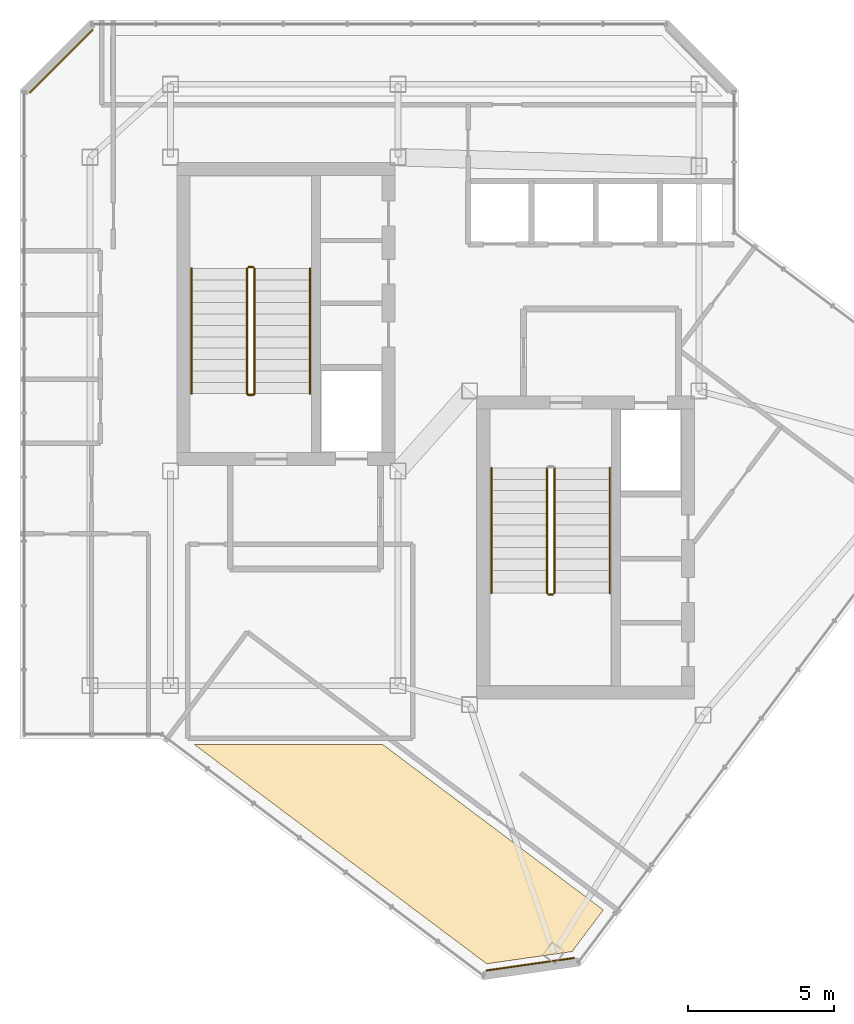
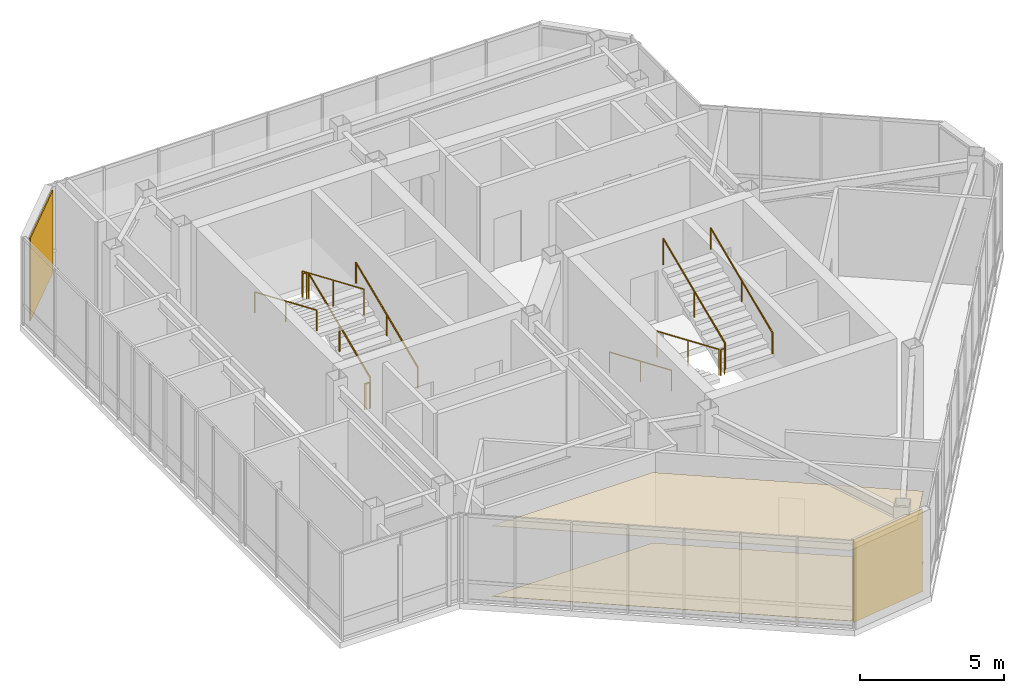
# One storey, part 23 of 24: 12 railings, 4 coverings.
"""IFC4 building model written with IfcOpenShell, lengths in metres."""

from ifc_helpers import new_model, si_unit, direction, frame, origin, origin_2d, place, context, subcontext, project, spatial, polyline, rectangle, circle, outline, extrude, material, layer, layer_set, type_object, element, save


model = new_model("IFC4")

# Units and contexts
model_context = context("Model", 3, precision=1e-05, world=origin(), true_north=direction((0.0, 1.0)))
body_context = subcontext(model_context, "Body", "Model", "MODEL_VIEW")
ifc_project = project(units=[si_unit("LENGTHUNIT", "METRE"), si_unit("AREAUNIT", "SQUARE_METRE"), si_unit("VOLUMEUNIT", "CUBIC_METRE"), si_unit("PLANEANGLEUNIT", "RADIAN"), si_unit("MASSUNIT", "GRAM", prefix="KILO")], contexts=[model_context])

# Site, building, storey
site_placement = place(None, origin())
site = spatial("IfcSite", under=ifc_project, at=site_placement, CompositionType="ELEMENT")
building_placement = place(site_placement, origin())
building = spatial("IfcBuilding", under=site, at=building_placement, Name="Hatsunagi Terrace Concourse", CompositionType="ELEMENT")
storey_placement = place(building_placement, frame((0.0, 0.0, 285.949951171875)))
storey = spatial("IfcBuildingStorey", under=building, at=storey_placement, Name="L75", CompositionType="ELEMENT", Elevation=285.949951171875)

# Coverings
ifc_material_1 = material(Name="Acoustic mineral board", Category="gypsum")
ifc_layer_1 = layer(ifc_material_1, 0.02001953125)
ifc_layer_set_1 = layer_set([ifc_layer_1], Name="AcousticMineralCeiling_20")
covering_type_1 = type_object("IfcCoveringType", Name="AcousticMineralCeiling_20", PredefinedType="CEILING", material=ifc_layer_set_1)
covering_1_placement = place(storey_placement, frame((0.0, 0.0, 2.97998046875)))
element("IfcCovering", 1, at=covering_1_placement, inside=storey, type_object=covering_type_1, Name="Suspended Ceiling L75-1", PredefinedType="CEILING", context=body_context, shape_type="SweptSolid", body=[
    extrude(outline(polyline([(26.361083984375, 23.19189453125), (36.382080078125, 15.676025390625), (39.30810546875, 16.093994140625), (40.3759765625, 17.51806640625), (32.81103515625, 23.19189453125), (26.361083984375, 23.19189453125)])), origin(), (0.0, 0.0, 1.0), 0.02001953125),
])
ifc_material_2 = material(Name="Hardwood timber", Category="wood")
ifc_layer_2 = layer(ifc_material_2, 0.014892578125)
ifc_layer_set_2 = layer_set([ifc_layer_2], Name="HardwoodTimberFlooring_15")
covering_type_2 = type_object("IfcCoveringType", Name="HardwoodTimberFlooring_15", PredefinedType="FLOORING", material=ifc_layer_set_2)
covering_2_placement = place(storey_placement, origin())
element("IfcCovering", 2, at=covering_2_placement, inside=storey, type_object=covering_type_2, Name="Finished Flooring L75-1", PredefinedType="FLOORING", context=body_context, shape_type="SweptSolid", body=[
    extrude(outline(polyline([(26.361083984375, 23.19189453125), (36.382080078125, 15.676025390625), (39.30810546875, 16.093994140625), (40.3759765625, 17.51806640625), (32.81103515625, 23.19189453125), (26.361083984375, 23.19189453125)])), origin(), (0.0, 0.0, 1.0), 0.01513671875),
])

# Railings
ifc_material_3 = material(Name="Stainless steel", Category="steel")
ifc_layer_3 = layer(ifc_material_3, 0.044921875)
ifc_layer_set_3 = layer_set([ifc_layer_3], Name="StairPitchHandrail_Tower2000")
railing_type_1 = type_object("IfcRailingType", Name="StairPitchHandrail_Tower2000", PredefinedType="HANDRAIL", material=ifc_layer_set_3)
railing_1_placement = place(storey_placement, frame((30.330078125, 35.199951171875, 0.166748046875)))
element("IfcRailing", 3, at=railing_1_placement, inside=storey, type_object=railing_type_1, Name="L75 ST-A stair handrail 1", PredefinedType="HANDRAIL", context=body_context, shape_type="SweptSolid", body=[
    extrude(circle(Radius=0.02392578125, at=origin_2d()), frame((0.0, 0.0, 0.8759765625), z_axis=(0.0, 0.919558658016, 0.39295276366), x_axis=(-1.0, 0.0, 0.0)), (0.0, 0.0, 1.0), 4.665283203125),
    extrude(circle(Radius=0.02099609375, at=origin_2d()), origin(), (0.0, 0.0, 1.0), 0.851806640625),
    extrude(circle(Radius=0.02099609375, at=origin_2d()), frame((0.0, 2.14501953125, 0.91650390625)), (0.0, 0.0, 1.0), 0.851806640625),
    extrude(circle(Radius=0.02099609375, at=origin_2d()), frame((0.0, 4.2900390625, 1.833251953125)), (0.0, 0.0, 1.0), 0.851806640625),
])
railing_2_placement = place(storey_placement, frame((26.280029296875, 39.489990234375, 2.166748046875)))
element("IfcRailing", 4, at=railing_2_placement, inside=storey, type_object=railing_type_1, Name="L75 ST-A stair handrail 2", PredefinedType="HANDRAIL", context=body_context, shape_type="SweptSolid", body=[
    extrude(circle(Radius=0.02392578125, at=origin_2d()), frame((0.0, 0.0, 0.8759765625), z_axis=(0.0, -0.919558658016, 0.39295276366), x_axis=(1.0, 0.0, 0.0)), (0.0, 0.0, 1.0), 4.665283203125),
    extrude(circle(Radius=0.02099609375, at=origin_2d()), origin(), (0.0, 0.0, 1.0), 0.851806640625),
    extrude(circle(Radius=0.02099609375, at=origin_2d()), frame((0.0, -2.14501953125, 0.91650390625)), (0.0, 0.0, 1.0), 0.851806640625),
    extrude(circle(Radius=0.02099609375, at=origin_2d()), frame((0.0, -4.2900390625, 1.833251953125)), (0.0, 0.0, 1.0), 0.851806640625),
])
railing_3_placement = place(storey_placement, frame((36.550048828125, 32.659912109375, 0.166748046875)))
element("IfcRailing", 5, at=railing_3_placement, inside=storey, type_object=railing_type_1, Name="L75 ST-B stair handrail 1", PredefinedType="HANDRAIL", context=body_context, shape_type="SweptSolid", body=[
    extrude(circle(Radius=0.02392578125, at=origin_2d()), frame((0.0, 0.0, 0.8759765625), z_axis=(0.0, -0.919550576919, 0.392971673899), x_axis=(1.0, 0.0, 0.0)), (0.0, 0.0, 1.0), 4.6650390625),
    extrude(circle(Radius=0.02099609375, at=origin_2d()), origin(), (0.0, 0.0, 1.0), 0.851806640625),
    extrude(circle(Radius=0.02099609375, at=origin_2d()), frame((0.0, -2.14501953125, 0.91650390625)), (0.0, 0.0, 1.0), 0.851806640625),
    extrude(circle(Radius=0.02099609375, at=origin_2d()), frame((0.0, -4.289794921875, 1.833251953125)), (0.0, 0.0, 1.0), 0.851806640625),
])
railing_4_placement = place(storey_placement, frame((40.60009765625, 28.3701171875, 2.166748046875)))
element("IfcRailing", 6, at=railing_4_placement, inside=storey, type_object=railing_type_1, Name="L75 ST-B stair handrail 2", PredefinedType="HANDRAIL", context=body_context, shape_type="SweptSolid", body=[
    extrude(circle(Radius=0.02392578125, at=origin_2d()), frame((0.0, 0.0, 0.8759765625), z_axis=(0.0, 0.919550576919, 0.392971673899), x_axis=(-1.0, 0.0, 0.0)), (0.0, 0.0, 1.0), 4.6650390625),
    extrude(circle(Radius=0.02099609375, at=origin_2d()), origin(), (0.0, 0.0, 1.0), 0.851806640625),
    extrude(circle(Radius=0.02099609375, at=origin_2d()), frame((0.0, 2.14501953125, 0.91650390625)), (0.0, 0.0, 1.0), 0.851806640625),
    extrude(circle(Radius=0.02099609375, at=origin_2d()), frame((0.0, 4.289794921875, 1.833251953125)), (0.0, 0.0, 1.0), 0.851806640625),
])
ifc_material_4 = material(Name="Stainless steel", Category="steel")
ifc_layer_4 = layer(ifc_material_4, 0.06005859375)
ifc_layer_set_4 = layer_set([ifc_layer_4], Name="StairWellGuard_Tower2000")
railing_type_2 = type_object("IfcRailingType", Name="StairWellGuard_Tower2000", PredefinedType="BALUSTRADE", material=ifc_layer_set_4)
railing_5_placement = place(storey_placement, frame((28.429931640625, 35.199951171875, 0.166748046875)))
element("IfcRailing", 7, at=railing_5_placement, inside=storey, type_object=railing_type_2, Name="L75 ST-A stair guard 1", PredefinedType="BALUSTRADE", context=body_context, shape_type="SweptSolid", body=[
    extrude(circle(Radius=0.02392578125, at=origin_2d()), frame((0.0, 0.0, 1.09619140625), z_axis=(0.0, 0.919558658016, 0.39295276366), x_axis=(-1.0, 0.0, 0.0)), (0.0, 0.0, 1.0), 4.665283203125),
    extrude(circle(Radius=0.02099609375, at=origin_2d()), origin(), (0.0, 0.0, 1.0), 1.072021484375),
    extrude(circle(Radius=0.02099609375, at=origin_2d()), frame((0.0, 2.14501953125, 0.91650390625)), (0.0, 0.0, 1.0), 1.072021484375),
    extrude(circle(Radius=0.02099609375, at=origin_2d()), frame((0.0, 4.2900390625, 1.833251953125)), (0.0, 0.0, 1.0), 1.072021484375),
])
railing_6_placement = place(storey_placement, frame((28.3798828125, 39.5400390625, 2.0)))
element("IfcRailing", 8, at=railing_6_placement, inside=storey, type_object=railing_type_2, Name="L75 ST-A stair guard 2", PredefinedType="BALUSTRADE", context=body_context, shape_type="SweptSolid", body=[
    extrude(circle(Radius=0.02392578125, at=origin_2d()), frame((0.0, 0.0, 1.09619140625), z_axis=(-1.0, 0.0, 0.0), x_axis=(0.0, -1.0, 0.0)), (0.0, 0.0, 1.0), 0.14990234375),
    extrude(circle(Radius=0.02099609375, at=origin_2d()), origin(), (0.0, 0.0, 1.0), 1.072021484375),
    extrude(circle(Radius=0.02099609375, at=origin_2d()), frame((-0.14990234375, 0.0, 0.0)), (0.0, 0.0, 1.0), 1.072021484375),
])
railing_7_placement = place(storey_placement, frame((28.179931640625, 39.489990234375, 2.166748046875)))
element("IfcRailing", 9, at=railing_7_placement, inside=storey, type_object=railing_type_2, Name="L75 ST-A stair guard 3", PredefinedType="BALUSTRADE", context=body_context, shape_type="SweptSolid", body=[
    extrude(circle(Radius=0.02392578125, at=origin_2d()), frame((0.0, 0.0, 1.09619140625), z_axis=(0.0, -0.919558658016, 0.39295276366), x_axis=(1.0, 0.0, 0.0)), (0.0, 0.0, 1.0), 4.665283203125),
    extrude(circle(Radius=0.02099609375, at=origin_2d()), origin(), (0.0, 0.0, 1.0), 1.072021484375),
    extrude(circle(Radius=0.02099609375, at=origin_2d()), frame((0.0, -2.14501953125, 0.91650390625)), (0.0, 0.0, 1.0), 1.072021484375),
    extrude(circle(Radius=0.02099609375, at=origin_2d()), frame((0.0, -4.2900390625, 1.833251953125)), (0.0, 0.0, 1.0), 1.072021484375),
])
railing_8_placement = place(storey_placement, frame((28.3798828125, 35.14990234375, 0.0)))
element("IfcRailing", 10, at=railing_8_placement, inside=storey, type_object=railing_type_2, Name="L75 ST-A stair guard 4", PredefinedType="BALUSTRADE", context=body_context, shape_type="SweptSolid", body=[
    extrude(circle(Radius=0.02392578125, at=origin_2d()), frame((0.0, 0.0, 1.09619140625), z_axis=(-1.0, 0.0, 0.0), x_axis=(0.0, -1.0, 0.0)), (0.0, 0.0, 1.0), 0.14990234375),
    extrude(circle(Radius=0.02099609375, at=origin_2d()), origin(), (0.0, 0.0, 1.0), 1.072021484375),
    extrude(circle(Radius=0.02099609375, at=origin_2d()), frame((-0.14990234375, 0.0, 0.0)), (0.0, 0.0, 1.0), 1.072021484375),
])
railing_9_placement = place(storey_placement, frame((38.449951171875, 32.659912109375, 0.166748046875)))
element("IfcRailing", 11, at=railing_9_placement, inside=storey, type_object=railing_type_2, Name="L75 ST-B stair guard 1", PredefinedType="BALUSTRADE", context=body_context, shape_type="SweptSolid", body=[
    extrude(circle(Radius=0.02392578125, at=origin_2d()), frame((0.0, 0.0, 1.09619140625), z_axis=(0.0, -0.919550576919, 0.392971673899), x_axis=(1.0, 0.0, 0.0)), (0.0, 0.0, 1.0), 4.6650390625),
    extrude(circle(Radius=0.02099609375, at=origin_2d()), origin(), (0.0, 0.0, 1.0), 1.072021484375),
    extrude(circle(Radius=0.02099609375, at=origin_2d()), frame((0.0, -2.14501953125, 0.91650390625)), (0.0, 0.0, 1.0), 1.072021484375),
    extrude(circle(Radius=0.02099609375, at=origin_2d()), frame((0.0, -4.289794921875, 1.833251953125)), (0.0, 0.0, 1.0), 1.072021484375),
])
railing_10_placement = place(storey_placement, frame((38.5, 28.320068359375, 2.0)))
element("IfcRailing", 12, at=railing_10_placement, inside=storey, type_object=railing_type_2, Name="L75 ST-B stair guard 2", PredefinedType="BALUSTRADE", context=body_context, shape_type="SweptSolid", body=[
    extrude(circle(Radius=0.02392578125, at=origin_2d()), frame((0.0, 0.0, 1.09619140625), z_axis=(1.0, 0.0, 0.0), x_axis=(0.0, 1.0, 0.0)), (0.0, 0.0, 1.0), 0.14990234375),
    extrude(circle(Radius=0.02099609375, at=origin_2d()), origin(), (0.0, 0.0, 1.0), 1.072021484375),
    extrude(circle(Radius=0.02099609375, at=origin_2d()), frame((0.14990234375, 0.0, 0.0)), (0.0, 0.0, 1.0), 1.072021484375),
])
railing_11_placement = place(storey_placement, frame((38.699951171875, 28.3701171875, 2.166748046875)))
element("IfcRailing", 13, at=railing_11_placement, inside=storey, type_object=railing_type_2, Name="L75 ST-B stair guard 3", PredefinedType="BALUSTRADE", context=body_context, shape_type="SweptSolid", body=[
    extrude(circle(Radius=0.02392578125, at=origin_2d()), frame((0.0, 0.0, 1.09619140625), z_axis=(0.0, 0.919550576919, 0.392971673899), x_axis=(-1.0, 0.0, 0.0)), (0.0, 0.0, 1.0), 4.6650390625),
    extrude(circle(Radius=0.02099609375, at=origin_2d()), origin(), (0.0, 0.0, 1.0), 1.072021484375),
    extrude(circle(Radius=0.02099609375, at=origin_2d()), frame((0.0, 2.14501953125, 0.91650390625)), (0.0, 0.0, 1.0), 1.072021484375),
    extrude(circle(Radius=0.02099609375, at=origin_2d()), frame((0.0, 4.289794921875, 1.833251953125)), (0.0, 0.0, 1.0), 1.072021484375),
])
ifc_material_5 = material(Name="Stainless Steel SUS316 Post-and-Rail Guard", Category="steel")
ifc_layer_5 = layer(ifc_material_5, 0.080078125)
ifc_layer_set_5 = layer_set([ifc_layer_5], Name="TerracePlantedGuardRail_1200")
railing_type_3 = type_object("IfcRailingType", Name="TerracePlantedGuardRail_1200", PredefinedType="GUARDRAIL", material=ifc_layer_set_5)
railing_12_placement = place(storey_placement, frame((28.179931640625, 35.179931640625, 0.0)))
element("IfcRailing", 14, at=railing_12_placement, inside=storey, type_object=railing_type_3, Name="Stair ST-A Well Closure Guard L75", PredefinedType="GUARDRAIL", context=body_context, shape_type="SweptSolid", body=[
    extrude(circle(Radius=0.02392578125, at=origin_2d()), frame((0.0, 0.0, 1.09619140625), z_axis=(1.0, 0.0, 0.0), x_axis=(0.0, 1.0, 0.0)), (0.0, 0.0, 1.0), 0.25),
    extrude(circle(Radius=0.02099609375, at=origin_2d()), origin(), (0.0, 0.0, 1.0), 1.072021484375),
    extrude(circle(Radius=0.02099609375, at=origin_2d()), frame((0.25, 0.0, 0.0)), (0.0, 0.0, 1.0), 1.072021484375),
])

# Coverings
ifc_material_6 = material(Name="Unglazed Warm Terracotta Rainscreen Tile", Category="masonry")
ifc_layer_6 = layer(ifc_material_6, 0.044921875)
ifc_layer_set_6 = layer_set([ifc_layer_6], Name="TerracottaRainscreenCladding_45")
covering_type_3 = type_object("IfcCoveringType", Name="TerracottaRainscreenCladding_45", PredefinedType="CLADDING", material=ifc_layer_set_6)
for number, where, z_axis, x_axis, name in (
    (15, (37.8779296875, 15.658935546875, 0.10009765625), (0.0, 0.0, 1.0), (-0.989973920543, -0.141250262458, 0.0), "Terracotta Rainscreen Cladding L75-04"),
    (16, (21.81396484375, 46.5859375, 0.10009765625), (0.0, 0.0, 1.0), (0.707106781187, 0.707106781187, 0.0), "Terracotta Rainscreen Cladding L75-08"),
):
    element("IfcCovering", number, at=place(storey_placement, frame(where, z_axis=z_axis, x_axis=x_axis)), inside=storey, type_object=covering_type_3, Name=name, PredefinedType="CLADDING", context=body_context, shape_type="SweptSolid", body=[
        extrude(rectangle(XDim=3.0380859375, YDim=0.044921875, at=origin_2d()), origin(), (0.0, 0.0, 1.0), 3.5),
    ])

save(model, "model.ifc")
